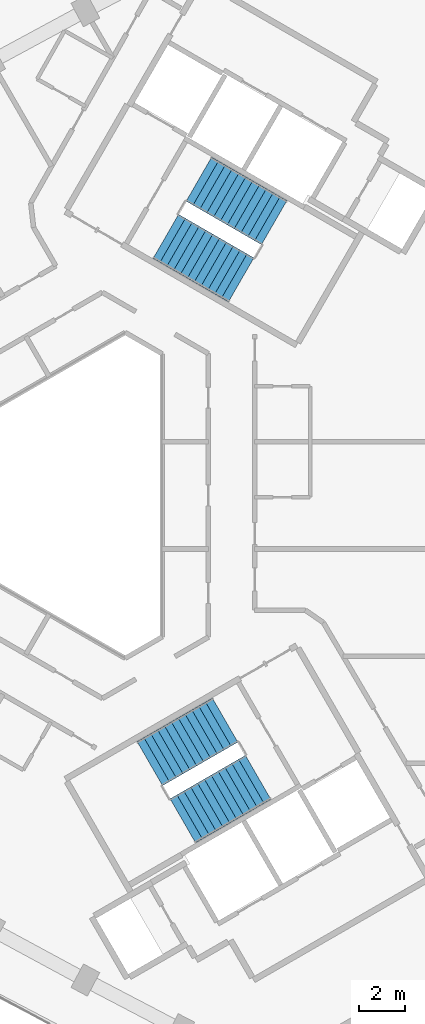
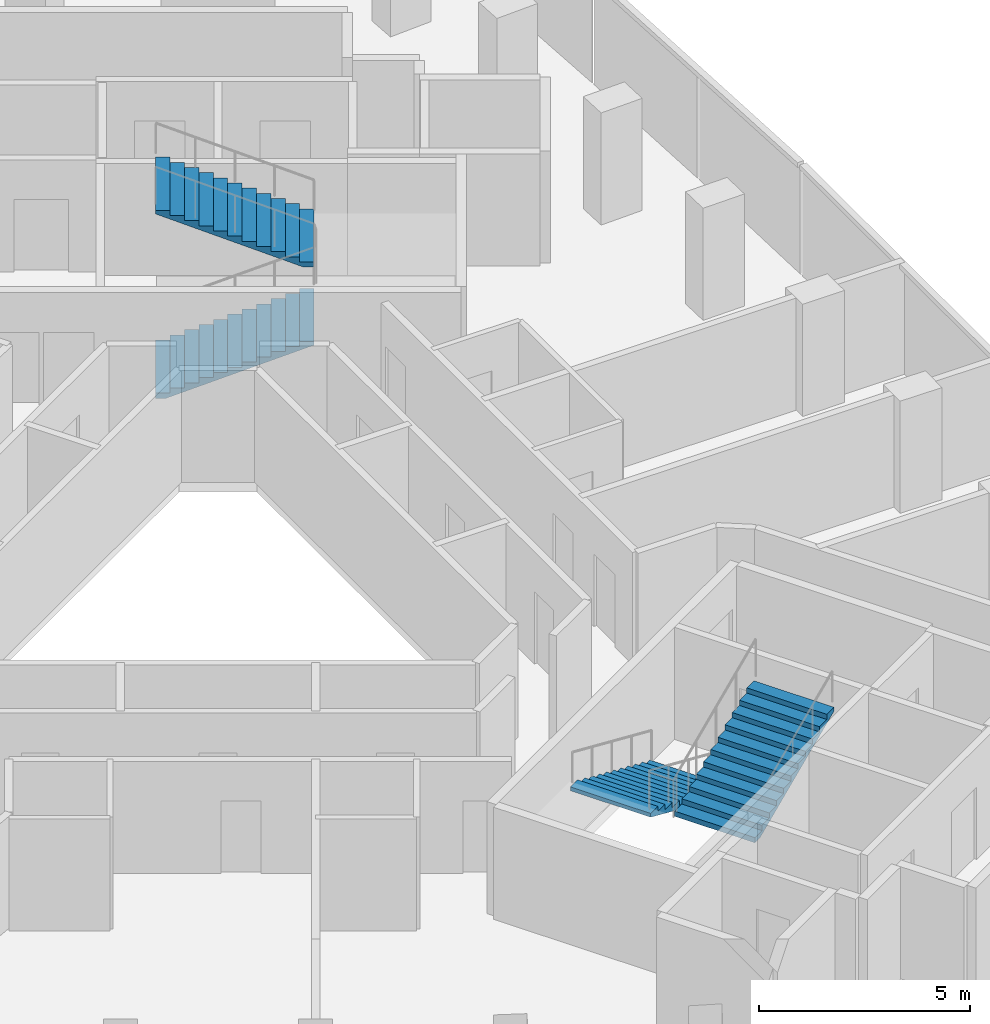
# One storey, part 11 of 12: 4 stair flights, 2 elements without a shape of their own.
"""IFC4 building model written with IfcOpenShell, lengths in metres."""

import ifcopenshell
import ifcopenshell.guid

model = None  # the IFC model being written
_history = None  # IfcOwnerHistory: only IFC2X3 demands one
_inside = {}  # id of a spatial element -> (the spatial element, [elements in it])
_under = {}  # id of a project, library or spatial element -> (it, [spatial elements below it])
_declared = {}  # id of a project -> (the project, [libraries it declares])
_typed = {}  # id of a type object -> (the type object, [elements of that type])
_made_of = {}  # id of a material, layer set ... -> (it, [elements and type objects made of it])


def new_model(schema):
    """Start an empty IFC model of exactly this schema.

    Asked for "IFC4X3", IfcOpenShell would pick the latest addendum, in which some entities
    have other attributes; the version numbers below select the first issue.
    IFC2X3 requires an IfcOwnerHistory on every rooted entity: one is made here for all.
    """
    global model, _history
    if schema == "IFC4X3":
        model = ifcopenshell.file(schema_version=(4, 3, 0, 0))
    else:
        model = ifcopenshell.file(schema=schema)
    _inside.clear()
    _under.clear()
    _declared.clear()
    _typed.clear()
    _made_of.clear()
    _history = None
    if model.schema == "IFC2X3":
        org = make("IfcOrganization", Name="unknown")
        user = make(
            "IfcPersonAndOrganization",
            ThePerson=make("IfcPerson", FamilyName="unknown"),
            TheOrganization=org,
        )
        app = make(
            "IfcApplication",
            ApplicationDeveloper=org,
            Version="unknown",
            ApplicationFullName="unknown",
            ApplicationIdentifier="unknown",
        )
        _history = make(
            "IfcOwnerHistory",
            OwningUser=user,
            OwningApplication=app,
            ChangeAction="ADDED",
            CreationDate=0,
        )
    return model


def make(cls, **values):
    """One entity of the class cls with the attributes given. An attribute that is None is left unset."""
    return model.create_entity(
        cls, **{name: value for name, value in values.items() if value is not None}
    )


def rooted(cls, **values):
    """An entity with a GlobalId (a new one), such as an element, a storey or a relation."""
    return make(cls, GlobalId=ifcopenshell.guid.new(), OwnerHistory=_history, **values)


def si_unit(unit_type, name, prefix=None):
    """IfcSIUnit, for example si_unit("LENGTHUNIT", "METRE", prefix="MILLI")."""
    return make("IfcSIUnit", UnitType=unit_type, Prefix=prefix, Name=name)


def assignment(units):
    """IfcUnitAssignment: the units of a project."""
    return None if units is None else make("IfcUnitAssignment", Units=units)


def point(xyz):
    """IfcCartesianPoint."""
    return None if xyz is None else make("IfcCartesianPoint", Coordinates=xyz)


def direction(xyz):
    """IfcDirection."""
    return None if xyz is None else make("IfcDirection", DirectionRatios=xyz)


def frame(location, z_axis=None, x_axis=None):
    """IfcAxis2Placement3D, a coordinate frame: its origin and axes. An axis left out is left unset."""
    return make(
        "IfcAxis2Placement3D",
        Location=point(location),
        Axis=direction(z_axis),
        RefDirection=direction(x_axis),
    )


def origin():
    """The frame at (0, 0, 0) with its axes left unset."""
    return frame((0.0, 0.0, 0.0))


def place(relative_to, where):
    """IfcLocalPlacement: puts the frame where relative to a parent placement (None: the world)."""
    return make(
        "IfcLocalPlacement", PlacementRelTo=relative_to, RelativePlacement=where
    )


def context(
    kind, dimensions, precision=None, world=None, true_north=None, identifier=None
):
    """IfcGeometricRepresentationContext, for example the 3D "Model" context."""
    return make(
        "IfcGeometricRepresentationContext",
        ContextIdentifier=identifier,
        ContextType=kind,
        CoordinateSpaceDimension=dimensions,
        Precision=precision,
        WorldCoordinateSystem=world,
        TrueNorth=true_north,
    )


def subcontext(parent, identifier, kind, view, scale=None):
    """IfcGeometricRepresentationSubContext, for example "Body" below "Model"."""
    return make(
        "IfcGeometricRepresentationSubContext",
        ContextIdentifier=identifier,
        ContextType=kind,
        ParentContext=parent,
        TargetScale=scale,
        TargetView=view,
    )


def project(units=None, contexts=None):
    """IfcProject with its units and contexts."""
    return rooted(
        "IfcProject",
        Name="project",
        RepresentationContexts=contexts,
        UnitsInContext=assignment(units),
    )


def spatial(cls, under=None, at=None, **own):
    """A site, building, storey or space (cls), placed at a placement, below another one or the project."""
    s = rooted(cls, ObjectPlacement=at, **own)
    if under is not None:
        _under.setdefault(under.id(), (under, []))[1].append(s)
    return s


def polyline(points):
    """IfcPolyline through the points."""
    return make("IfcPolyline", Points=[point(p) for p in points])


def outline(outer, holes=None, kind="AREA"):
    """IfcArbitraryClosedProfileDef: a profile drawn as a closed curve; with holes, ...WithVoids."""
    if holes is None:
        return make("IfcArbitraryClosedProfileDef", ProfileType=kind, OuterCurve=outer)
    return make(
        "IfcArbitraryProfileDefWithVoids",
        ProfileType=kind,
        OuterCurve=outer,
        InnerCurves=holes,
    )


def extrude(swept, where, along, depth):
    """IfcExtrudedAreaSolid: the profile swept, set in the frame where, extruded along a direction by depth."""
    return make(
        "IfcExtrudedAreaSolid",
        SweptArea=swept,
        Position=where,
        ExtrudedDirection=direction(along),
        Depth=depth,
    )


def shape(context_of_items, identifier, shape_type, items):
    """IfcShapeRepresentation: the items that make up one representation, for example the "Body"."""
    return make(
        "IfcShapeRepresentation",
        ContextOfItems=context_of_items,
        RepresentationIdentifier=identifier,
        RepresentationType=shape_type,
        Items=items,
    )


def material(Name=None, Category=None):
    """IfcMaterial."""
    return make("IfcMaterial", Name=Name, Category=Category)


def made_of(thing, what):
    """Note that an element or type object is made of a material, layer set ...; save() writes the relation."""
    if what is not None:
        _made_of.setdefault(what.id(), (what, []))[1].append(thing)
    return thing


def type_object(cls, material=None, **own):
    """A type object (cls), such as IfcWallType, which elements share."""
    return made_of(rooted(cls, **own), material)


def element(
    cls,
    number,
    at=None,
    inside=None,
    cuts=None,
    type_object=None,
    material=None,
    context=None,
    identifier="Body",
    shape_type=None,
    held_by="IfcProductDefinitionShape",
    body=None,
    shapes=None,
    **own,
):
    """One element of the class cls, such as IfcWall. Its Tag is "e" and its number.

    at: its placement. inside: the storey or other place that contains it. cuts: it is an
    opening in that element (IfcRelVoidsElement). A single representation is given by context,
    identifier, shape_type and body (its items); several are given by shapes. held_by: the class
    of the entity that holds the representations. save() writes the other relations.
    """
    e = rooted(cls, Tag="e%d" % number, ObjectPlacement=at, **own)
    if body is not None:
        shapes = [shape(context, identifier, shape_type, body)]
    if shapes is not None:
        e.Representation = make(held_by, Representations=shapes)
    if inside is not None:
        _inside.setdefault(inside.id(), (inside, []))[1].append(e)
    if cuts is not None:
        rooted(
            "IfcRelVoidsElement", RelatingBuildingElement=cuts, RelatedOpeningElement=e
        )
    if type_object is not None:
        _typed.setdefault(type_object.id(), (type_object, []))[1].append(e)
    return made_of(e, material)


def aggregate(whole, parts):
    """IfcRelAggregates: a whole, such as a stair, and the parts it consists of."""
    return rooted("IfcRelAggregates", RelatingObject=whole, RelatedObjects=parts)


def save(model, path):
    """Write the relations noted so far, then the file.

    IfcRelAggregates (storeys below a building ...), IfcRelContainedInSpatialStructure (elements
    in a storey), IfcRelDefinesByType, IfcRelAssociatesMaterial and IfcRelDeclares: one each for
    every whole, place, type object, material and project.
    """
    for whole, parts in _under.values():
        aggregate(whole, parts)
    for where, things in _inside.values():
        rooted(
            "IfcRelContainedInSpatialStructure",
            RelatedElements=things,
            RelatingStructure=where,
        )
    for kind, things in _typed.values():
        rooted("IfcRelDefinesByType", RelatedObjects=things, RelatingType=kind)
    for what, things in _made_of.values():
        rooted("IfcRelAssociatesMaterial", RelatedObjects=things, RelatingMaterial=what)
    for by, libraries in _declared.values():
        rooted("IfcRelDeclares", RelatingContext=by, RelatedDefinitions=libraries)
    model.write(path)


model = new_model("IFC4")

# Units and contexts
model_context = context("Model", 3, precision=1e-05, world=origin(), true_north=direction((0.0, 1.0)))
body_context = subcontext(model_context, "Body", "Model", "MODEL_VIEW")
ifc_project = project(units=[si_unit("LENGTHUNIT", "METRE"), si_unit("AREAUNIT", "SQUARE_METRE"), si_unit("VOLUMEUNIT", "CUBIC_METRE"), si_unit("PLANEANGLEUNIT", "RADIAN"), si_unit("MASSUNIT", "GRAM", prefix="KILO")], contexts=[model_context])

# Site, building, storey
site_placement = place(None, origin())
site = spatial("IfcSite", under=ifc_project, at=site_placement, CompositionType="ELEMENT")
building_placement = place(site_placement, origin())
building = spatial("IfcBuilding", under=site, at=building_placement, Name="Tamra Quay Hotel Tower", CompositionType="ELEMENT")
storey_placement = place(building_placement, frame((0.0, 0.0, 200.800048828125)))
storey = spatial("IfcBuildingStorey", under=building, at=storey_placement, Name="L50", CompositionType="ELEMENT", Elevation=200.800048828125)

# Stair, stair flights
ifc_material_1 = material(Name="Exit stair 2200 24 risers 150.0 going 342")
stair_type = type_object("IfcStairType", Name="Exit stair 2200 24 risers 150.0 going 342", PredefinedType="HALF_TURN_STAIR", material=ifc_material_1)
stair_1_placement = place(storey_placement, origin())
stair_1 = element("IfcStair", 1, at=stair_1_placement, inside=storey, type_object=stair_type, Name="L50 Exit stair ST1", PredefinedType="HALF_TURN_STAIR")
ifc_material_2 = material(Name="Exit stair flight 2200 12 risers 150.0")
stair_flight_type = type_object("IfcStairFlightType", Name="Exit stair flight 2200 12 risers 150.0", PredefinedType="STRAIGHT", material=ifc_material_2)
stair_flight_1_placement = place(storey_placement, frame((4.75927734375, 11.20361328125, 0.0), z_axis=(0.0, 0.0, 1.0), x_axis=(0.866025403784, -0.5, 0.0)))
stair_flight_1 = element("IfcStairFlight", 2, at=stair_flight_1_placement, type_object=stair_flight_type, Name="ST1 flight 1", NumberOfRisers=12, NumberOfTreads=11, PredefinedType="STRAIGHT", RiserHeight=0.15, TreadLength=0.342, context=body_context, shape_type="SweptSolid", body=[
    extrude(outline(polyline([(0.0, 0.0), (0.0, 0.14990234375), (0.342041015625, 0.14990234375), (0.342041015625, 0.300048828125), (0.68408203125, 0.300048828125), (0.68408203125, 0.449951171875), (1.02587890625, 0.449951171875), (1.02587890625, 0.60009765625), (1.367919921875, 0.60009765625), (1.367919921875, 0.75), (1.7099609375, 0.75), (1.7099609375, 0.89990234375), (2.052001953125, 0.89990234375), (2.052001953125, 1.050048828125), (2.39404296875, 1.050048828125), (2.39404296875, 1.199951171875), (2.736083984375, 1.199951171875), (2.736083984375, 1.35009765625), (3.077880859375, 1.35009765625), (3.077880859375, 1.5), (3.419921875, 1.5), (3.419921875, 1.64990234375), (3.761962890625, 1.64990234375), (3.761962890625, 1.800048828125), (3.761962890625, 1.540771484375), (0.249267578125, 0.0), (0.0, 0.0)])), frame((0.0, 1.10009765625, 0.0), z_axis=(0.0, -1.0, 0.0), x_axis=(1.0, 0.0, 0.0)), (0.0, 0.0, 1.0), 2.199951171875),
])
stair_flight_2_placement = place(storey_placement, frame((9.44677734375, 11.798583984375, 1.800048828125), z_axis=(0.0, 0.0, 1.0), x_axis=(-0.866025403784, 0.5, 0.0)))
stair_flight_2 = element("IfcStairFlight", 3, at=stair_flight_2_placement, type_object=stair_flight_type, Name="ST1 flight 2", NumberOfRisers=12, NumberOfTreads=11, PredefinedType="STRAIGHT", RiserHeight=0.15, TreadLength=0.342, context=body_context, shape_type="SweptSolid", body=[
    extrude(outline(polyline([(0.0, 0.0), (0.0, 0.14990234375), (0.342041015625, 0.14990234375), (0.342041015625, 0.300048828125), (0.68408203125, 0.300048828125), (0.68408203125, 0.449951171875), (1.02587890625, 0.449951171875), (1.02587890625, 0.60009765625), (1.367919921875, 0.60009765625), (1.367919921875, 0.75), (1.7099609375, 0.75), (1.7099609375, 0.89990234375), (2.052001953125, 0.89990234375), (2.052001953125, 1.050048828125), (2.39404296875, 1.050048828125), (2.39404296875, 1.199951171875), (2.736083984375, 1.199951171875), (2.736083984375, 1.35009765625), (3.077880859375, 1.35009765625), (3.077880859375, 1.5), (3.419921875, 1.5), (3.419921875, 1.64990234375), (3.761962890625, 1.64990234375), (3.761962890625, 1.800048828125), (3.761962890625, 1.540771484375), (0.249267578125, 0.0), (0.0, 0.0)])), frame((0.0, 1.10009765625, 0.0), z_axis=(0.0, -1.0, 0.0), x_axis=(1.0, 0.0, 0.0)), (0.0, 0.0, 1.0), 2.199951171875),
])
aggregate(stair_1, [stair_flight_1, stair_flight_2])

stair_2_placement = place(storey_placement, origin())
stair_2 = element("IfcStair", 4, at=stair_2_placement, inside=storey, type_object=stair_type, Name="L50 Exit stair ST2", PredefinedType="HALF_TURN_STAIR")
stair_flight_3_placement = place(storey_placement, frame((7.322998046875, -9.7236328125, 0.0), z_axis=(0.0, 0.0, 1.0), x_axis=(-0.866025403784, -0.5, 0.0)))
stair_flight_3 = element("IfcStairFlight", 5, at=stair_flight_3_placement, type_object=stair_flight_type, Name="ST2 flight 1", NumberOfRisers=12, NumberOfTreads=11, PredefinedType="STRAIGHT", RiserHeight=0.15, TreadLength=0.342, context=body_context, shape_type="SweptSolid", body=[
    extrude(outline(polyline([(0.0, 0.0), (0.0, 0.14990234375), (0.342041015625, 0.14990234375), (0.342041015625, 0.300048828125), (0.68408203125, 0.300048828125), (0.68408203125, 0.449951171875), (1.02587890625, 0.449951171875), (1.02587890625, 0.60009765625), (1.367919921875, 0.60009765625), (1.367919921875, 0.75), (1.7099609375, 0.75), (1.7099609375, 0.89990234375), (2.052001953125, 0.89990234375), (2.052001953125, 1.050048828125), (2.39404296875, 1.050048828125), (2.39404296875, 1.199951171875), (2.736083984375, 1.199951171875), (2.736083984375, 1.35009765625), (3.077880859375, 1.35009765625), (3.077880859375, 1.5), (3.419921875, 1.5), (3.419921875, 1.64990234375), (3.761962890625, 1.64990234375), (3.761962890625, 1.800048828125), (3.761962890625, 1.540771484375), (0.249267578125, 0.0), (0.0, 0.0)])), frame((0.0, 1.10009765625, 0.0), z_axis=(0.0, -1.0, 0.0), x_axis=(1.0, 0.0, 0.0)), (0.0, 0.0, 1.0), 2.199951171875),
])
stair_flight_4_placement = place(storey_placement, frame((5.494384765625, -14.08056640625, 1.800048828125), z_axis=(0.0, 0.0, 1.0), x_axis=(0.866025403784, 0.5, 0.0)))
stair_flight_4 = element("IfcStairFlight", 6, at=stair_flight_4_placement, type_object=stair_flight_type, Name="ST2 flight 2", NumberOfRisers=12, NumberOfTreads=11, PredefinedType="STRAIGHT", RiserHeight=0.15, TreadLength=0.342, context=body_context, shape_type="SweptSolid", body=[
    extrude(outline(polyline([(0.0, 0.0), (0.0, 0.14990234375), (0.342041015625, 0.14990234375), (0.342041015625, 0.300048828125), (0.68408203125, 0.300048828125), (0.68408203125, 0.449951171875), (1.02587890625, 0.449951171875), (1.02587890625, 0.60009765625), (1.367919921875, 0.60009765625), (1.367919921875, 0.75), (1.7099609375, 0.75), (1.7099609375, 0.89990234375), (2.052001953125, 0.89990234375), (2.052001953125, 1.050048828125), (2.39404296875, 1.050048828125), (2.39404296875, 1.199951171875), (2.736083984375, 1.199951171875), (2.736083984375, 1.35009765625), (3.077880859375, 1.35009765625), (3.077880859375, 1.5), (3.419921875, 1.5), (3.419921875, 1.64990234375), (3.761962890625, 1.64990234375), (3.761962890625, 1.800048828125), (3.761962890625, 1.540771484375), (0.249267578125, 0.0), (0.0, 0.0)])), frame((0.0, 1.10009765625, 0.0), z_axis=(0.0, -1.0, 0.0), x_axis=(1.0, 0.0, 0.0)), (0.0, 0.0, 1.0), 2.199951171875),
])
aggregate(stair_2, [stair_flight_3, stair_flight_4])

save(model, "model.ifc")
